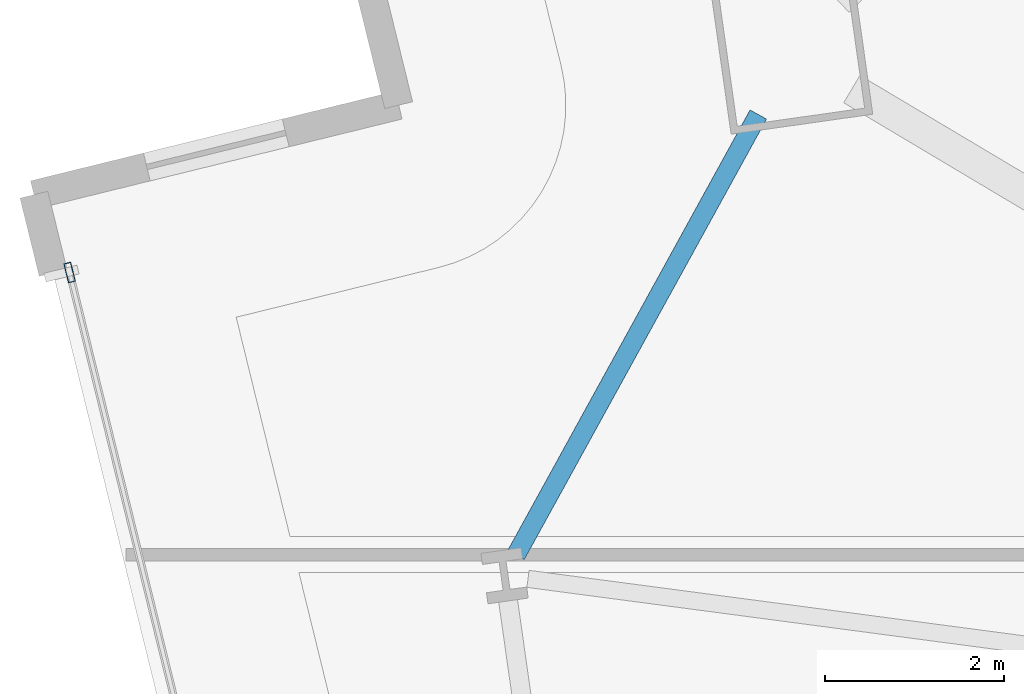
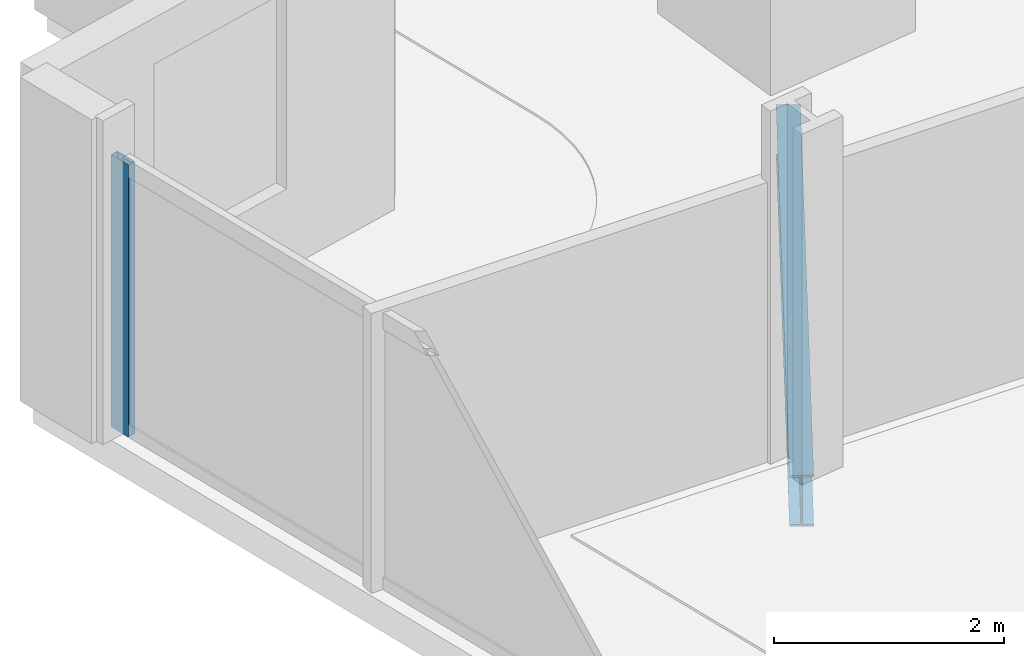
# One storey, part 14 of 32: 1 beam, 1 member, 1 element without a shape of its own.
"""IFC4 building model written with IfcOpenShell, lengths in metres."""

from ifc_helpers import new_model, si_unit, direction, frame, origin, origin_2d, place, context, subcontext, project, spatial, hollow_rectangle, i_section, extrude, material, material_profile, profile_set, type_object, element, aggregate, save


model = new_model("IFC4")

# Units and contexts
model_context = context("Model", 3, precision=1e-05, world=origin(), true_north=direction((0.0, 1.0)))
body_context = subcontext(model_context, "Body", "Model", "MODEL_VIEW")
ifc_project = project(units=[si_unit("LENGTHUNIT", "METRE"), si_unit("AREAUNIT", "SQUARE_METRE"), si_unit("VOLUMEUNIT", "CUBIC_METRE"), si_unit("PLANEANGLEUNIT", "RADIAN"), si_unit("MASSUNIT", "GRAM", prefix="KILO")], contexts=[model_context])

# Site, building, storey
site_placement = place(None, origin())
site = spatial("IfcSite", under=ifc_project, at=site_placement, CompositionType="ELEMENT")
building_placement = place(site_placement, origin())
building = spatial("IfcBuilding", under=site, at=building_placement, Name="Haldenkirk Collegiate Tower", CompositionType="ELEMENT")
storey_placement = place(building_placement, frame((0.0, 0.0, 73.949951171875)))
storey = spatial("IfcBuildingStorey", under=building, at=storey_placement, Name="L17", CompositionType="ELEMENT", Elevation=73.949951171875)

# Beam
ifc_material_1 = material(Name="Steel ASTM A992 Grade 50", Category="steel")
ifc_material_profile_1 = material_profile(ifc_material_1, i_section(OverallWidth=0.2119140625, OverallDepth=0.5439453125, WebThickness=0.01318359375, FlangeThickness=0.021240234375, at=origin_2d()), Name="W21X83")
ifc_profile_set_1 = profile_set([ifc_material_profile_1], Name="Steel ASTM A992 Grade 50")
beam_type = type_object("IfcBeamType", Name="BM-SPANDREL-W21X83", PredefinedType="SPANDREL", material=ifc_profile_set_1)
beam_placement = place(storey_placement, frame((13.10400390625, 41.37109375, -0.58203125), z_axis=(-0.482003753736, -0.876169151126, 0.0), x_axis=(0.876169151126, -0.482003753736, 0.0)))
element("IfcBeam", 1, at=beam_placement, inside=storey, type_object=beam_type, Name="L17 perimeter spandrel beam 13", PredefinedType="SPANDREL", context=body_context, shape_type="SweptSolid", body=[
    extrude(i_section(OverallWidth=0.2119140625, OverallDepth=0.5439453125, WebThickness=0.01318359375, FlangeThickness=0.021240234375, at=origin_2d()), origin(), (0.0, 0.0, 1.0), 5.622802734375),
])

# Curtain wall, member
ifc_material_2 = material(Name="Anodised architectural bronze aluminium", Category="aluminium")
curtain_wall_type = type_object("IfcCurtainWallType", Name="CW-SYS1-CONVEX-LOW", PredefinedType="USERDEFINED", material=ifc_material_2)
curtain_wall_placement = place(storey_placement, origin())
curtain_wall = element("IfcCurtainWall", 2, at=curtain_wall_placement, inside=storey, type_object=curtain_wall_type, Name="L17 Lower tower convex bronze-framed unitised curtain wall", ObjectType="UNITISED CURTAIN WALL", PredefinedType="USERDEFINED")
ifc_material_profile_2 = material_profile(ifc_material_2, hollow_rectangle(XDim=0.080078125, YDim=0.219970703125, WallThickness=0.0048828125, at=origin_2d()), Name="CW-MUL-1A")
ifc_profile_set_2 = profile_set([ifc_material_profile_2], Name="Anodised architectural bronze aluminium")
member_type = type_object("IfcMemberType", Name="CW-MUL-1A", PredefinedType="MULLION", material=ifc_profile_set_2)
member_placement = place(storey_placement, frame((5.40185546875, 39.60400390625, 0.0), z_axis=(0.0, 0.0, 1.0), x_axis=(-0.97113457572, -0.238532253249, 0.0)))
member = element("IfcMember", 3, at=member_placement, type_object=member_type, Name="CW-1A mullion 5", PredefinedType="MULLION", context=body_context, shape_type="SweptSolid", body=[
    extrude(hollow_rectangle(XDim=0.080078125, YDim=0.219970703125, WallThickness=0.0048828125, at=origin_2d()), origin(), (0.0, 0.0, 1.0), 2.89111328125),
])
aggregate(curtain_wall, [member])

save(model, "model.ifc")
